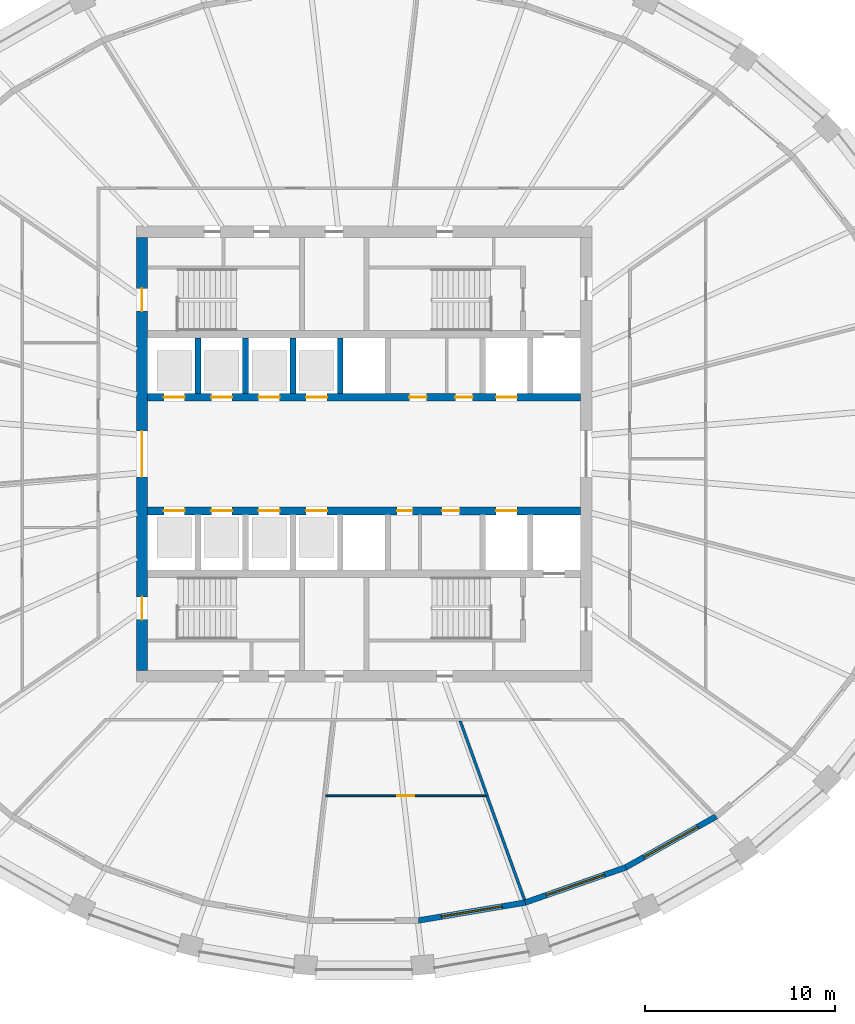
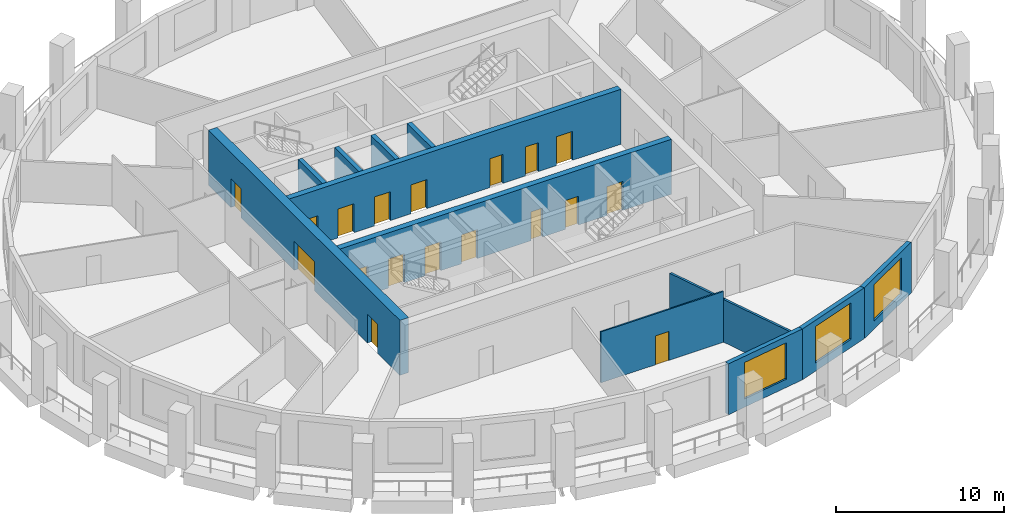
# One storey, part 4 of 11: 18 doors, 13 walls, 3 windows, 21 openings.
"""IFC4 building model written with IfcOpenShell, lengths in metres."""

from ifc_helpers import new_model, si_unit, direction, frame, frame_2d, origin, place, context, subcontext, project, spatial, polyline, rectangle, outline, extrude, material, layer, layer_set, type_object, element, fill, save


model = new_model("IFC4")

# Units and contexts
model_context = context("Model", 3, precision=1e-05, world=origin(), true_north=direction((0.0, 1.0)))
body_context = subcontext(model_context, "Body", "Model", "MODEL_VIEW")
ifc_project = project(units=[si_unit("LENGTHUNIT", "METRE"), si_unit("AREAUNIT", "SQUARE_METRE"), si_unit("VOLUMEUNIT", "CUBIC_METRE"), si_unit("PLANEANGLEUNIT", "RADIAN"), si_unit("MASSUNIT", "GRAM", prefix="KILO")], contexts=[model_context])

# Site, building, storey
site_placement = place(None, origin())
site = spatial("IfcSite", under=ifc_project, at=site_placement, CompositionType="ELEMENT")
building_placement = place(site_placement, origin())
building = spatial("IfcBuilding", under=site, at=building_placement, Name="Halqa Exchange Tower", CompositionType="ELEMENT")
storey_placement = place(building_placement, frame((0.0, 0.0, 222.89990234375)))
storey = spatial("IfcBuildingStorey", under=building, at=storey_placement, Name="L51", CompositionType="ELEMENT", Elevation=222.89990234375)

# Walls
ifc_material_1 = material(Name="Fire-rated gypsum board")
ifc_layer_1 = layer(ifc_material_1, 0.14990234375)
ifc_layer_set_1 = layer_set([ifc_layer_1], Name="Fire-rated gypsum board")
wall_type_1 = type_object("IfcWallType", Name="Fire partition EI 60 150", PredefinedType="PARTITIONING", material=ifc_layer_set_1)
wall_1_placement = place(storey_placement, frame((5.05810546875, -14.0498046875, 0.0), z_axis=(0.0, 0.0, 1.0), x_axis=(0.338678283686, -0.940902237302, 0.0)))
element("IfcWall", 1, at=wall_1_placement, inside=storey, type_object=wall_type_1, Name="L51-PWL-022", PredefinedType="PARTITIONING", context=body_context, shape_type="SweptSolid", body=[
    extrude(outline(polyline([(0.0, -0.074951171875), (1.372802734375, -0.074951171875), (2.745361328125, -0.074951171875), (4.1181640625, -0.074951171875), (4.1181640625, -0.07470703125), (4.11865234375, -0.074951171875), (4.1982421875, -0.074951171875), (4.1982421875, 0.074951171875), (2.816650390625, 0.074951171875), (1.435302734375, 0.074951171875), (0.0537109375, 0.074951171875), (0.0, -0.074462890625), (0.0, -0.074951171875)])), origin(), (0.0, 0.0, 1.0), 3.10009765625),
])
wall_2_placement = place(storey_placement, frame((6.47119140625, -18.00341796875, 0.0), z_axis=(0.0, 0.0, 1.0), x_axis=(0.339648584393, -0.940552411681, 0.0)))
element("IfcWall", 2, at=wall_2_placement, inside=storey, type_object=wall_type_1, Name="L51-PWL-024", PredefinedType="PARTITIONING", context=body_context, shape_type="SweptSolid", body=[
    extrude(outline(polyline([(0.021484375, -0.074951171875), (1.951171875, -0.074951171875), (3.880615234375, -0.074951171875), (5.810302734375, -0.074951171875), (5.8232421875, -0.003662109375), (5.82373046875, 0.043212890625), (5.82373046875, 0.074951171875), (3.882568359375, 0.074951171875), (1.941162109375, 0.074951171875), (0.0, 0.074951171875), (0.0, -0.067138671875), (0.021484375, -0.074951171875)])), origin(), (0.0, 0.0, 1.0), 3.10009765625),
])

# Wall, opening, door
ifc_material_2 = material(Name="Gypsum board")
ifc_layer_2 = layer(ifc_material_2, 0.10009765625)
ifc_layer_set_2 = layer_set([ifc_layer_2], Name="Gypsum board")
wall_type_2 = type_object("IfcWallType", Name="Partition 100 gypsum", PredefinedType="PARTITIONING", material=ifc_layer_set_2)
wall_3_placement = place(storey_placement, frame((6.407958984375, -18.0, 0.0), z_axis=(0.0, 0.0, 1.0), x_axis=(-1.0, 0.0, 0.0)))
wall_3 = element("IfcWall", 3, at=wall_3_placement, inside=storey, type_object=wall_type_2, Name="L51-PWL-023", PredefinedType="PARTITIONING", context=body_context, shape_type="SweptSolid", body=[
    extrude(outline(polyline([(0.025634765625, -0.050048828125), (1.705810546875, -0.050048828125), (3.385986328125, -0.050048828125), (5.066162109375, -0.050048828125), (6.746337890625, -0.050048828125), (8.426513671875, -0.050048828125), (8.43798828125, 0.04736328125), (8.43798828125, 0.050048828125), (6.75048828125, 0.050048828125), (5.062744140625, 0.050048828125), (3.375244140625, 0.050048828125), (1.6875, 0.050048828125), (0.0, 0.050048828125), (0.0, 0.049072265625), (0.0068359375, 0.0302734375), (0.0, 0.02783203125), (0.0, 0.021484375), (0.025634765625, -0.050048828125)])), origin(), (0.0, 0.0, 1.0), 3.7001953125),
])
opening_1_placement = place(wall_3_placement, frame((3.77294921875, 0.0, 0.0)))
opening_1 = element("IfcOpeningElement", 4, at=opening_1_placement, cuts=wall_3, Name="Opening 15-19", PredefinedType="OPENING", context=body_context, shape_type="SweptSolid", body=[
    extrude(rectangle(XDim=0.89990234375, YDim=2.10009765625, at=frame_2d((0.449951171875, 1.050048828125))), frame((0.0, 0.06201171875, 0.0), z_axis=(0.0, -1.0, 0.0), x_axis=(1.0, 0.0, 0.0)), (0.0, 0.0, 1.0), 0.1240234375),
])
ifc_material_3 = material(Name="Timber door leaf", Category="wood")
door_type_1 = type_object("IfcDoorType", Name="Door 900 x 2100", OperationType="SINGLE_SWING_LEFT", PredefinedType="DOOR", material=ifc_material_3)
door_1_placement = place(opening_1_placement, frame((0.89990234375, 0.0, 0.0), z_axis=(0.0, 0.0, 1.0), x_axis=(-1.0, 0.0, 0.0)))
door_1 = element("IfcDoor", 5, at=door_1_placement, inside=storey, type_object=door_type_1, Name="L51-IDR-019", OperationType="SINGLE_SWING_RIGHT", OverallHeight=2.10009765625, OverallWidth=0.89990234375, PredefinedType="DOOR", context=body_context, shape_type="SweptSolid", body=[
    extrude(rectangle(XDim=0.89990234375, YDim=2.10009765625, at=frame_2d((0.449951171875, 1.050048828125))), frame((0.0, 0.02490234375, 0.0), z_axis=(0.0, -1.0, 0.0), x_axis=(1.0, 0.0, 0.0)), (0.0, 0.0, 1.0), 0.050048828125),
])
fill(opening_1, door_1)

# Walls
ifc_material_4 = material(Name="Concrete C60/75", Category="concrete")
ifc_layer_3 = layer(ifc_material_4, 0.300048828125)
ifc_layer_set_3 = layer_set([ifc_layer_3], Name="Concrete C60/75")
wall_type_3 = type_object("IfcWallType", Name="RC core wall 300", PredefinedType="SHEAR", material=ifc_layer_set_3)
for number, where, z_axis, x_axis, name in (
    (6, (-8.75, 3.199951171875, 0.0), (0.0, 0.0, 1.0), (0.0, 1.0, 0.0), "Shaft divider N1"),
    (7, (-6.25, 3.199951171875, 0.0), (0.0, 0.0, 1.0), (0.0, 1.0, 0.0), "Shaft divider N2"),
    (8, (-3.75, 3.199951171875, 0.0), (0.0, 0.0, 1.0), (0.0, 1.0, 0.0), "Shaft divider N3"),
    (9, (-1.25, 3.199951171875, 0.0), (0.0, 0.0, 1.0), (0.0, 1.0, 0.0), "Shaft divider N4"),
):
    element("IfcWall", number, at=place(storey_placement, frame(where, z_axis=z_axis, x_axis=x_axis)), inside=storey, type_object=wall_type_3, Name=name, PredefinedType="SHEAR", context=body_context, shape_type="SweptSolid", body=[
        extrude(rectangle(XDim=2.900146484375, YDim=0.300048828125, at=frame_2d((1.4501953125, 0.0))), origin(), (0.0, 0.0, 1.0), 4.0),
    ])

# Wall, openings, doors
ifc_material_5 = material(Name="Concrete C70/85", Category="concrete")
ifc_layer_4 = layer(ifc_material_5, 0.39990234375)
ifc_layer_set_4 = layer_set([ifc_layer_4], Name="Concrete C70/85")
wall_type_4 = type_object("IfcWallType", Name="RC core wall 400 C70/85", PredefinedType="SHEAR", material=ifc_layer_set_4)
wall_4_placement = place(storey_placement, frame((-11.39990234375, 3.0, 0.0), z_axis=(0.0, 0.0, 1.0), x_axis=(1.0, 0.0, 0.0)))
wall_4 = element("IfcWall", 10, at=wall_4_placement, inside=storey, type_object=wall_type_4, Name="Lift row front wall N", PredefinedType="SHEAR", context=body_context, shape_type="SweptSolid", body=[
    extrude(rectangle(XDim=22.7998046875, YDim=0.39990234375, at=frame_2d((11.39990234375, 0.0))), origin(), (0.0, 0.0, 1.0), 4.0),
])
opening_2_placement = place(wall_4_placement, frame((0.85009765625, 0.0, 0.0)))
opening_2 = element("IfcOpeningElement", 11, at=opening_2_placement, cuts=wall_4, Name="Opening LD-HR1-T15", PredefinedType="OPENING", context=body_context, shape_type="SweptSolid", body=[
    extrude(rectangle(XDim=1.10009765625, YDim=2.10009765625, at=frame_2d((0.550048828125, 1.050048828125))), frame((0.0, 0.2119140625, 0.0), z_axis=(0.0, -1.0, 0.0), x_axis=(1.0, 0.0, 0.0)), (0.0, 0.0, 1.0), 0.423828125),
])
opening_3_placement = place(wall_4_placement, frame((3.35009765625, 0.0, 0.0)))
opening_3 = element("IfcOpeningElement", 12, at=opening_3_placement, cuts=wall_4, Name="Opening LD-HR2-T15", PredefinedType="OPENING", context=body_context, shape_type="SweptSolid", body=[
    extrude(rectangle(XDim=1.10009765625, YDim=2.10009765625, at=frame_2d((0.550048828125, 1.050048828125))), frame((0.0, 0.2119140625, 0.0), z_axis=(0.0, -1.0, 0.0), x_axis=(1.0, 0.0, 0.0)), (0.0, 0.0, 1.0), 0.423828125),
])
opening_4_placement = place(wall_4_placement, frame((5.85009765625, 0.0, 0.0)))
opening_4 = element("IfcOpeningElement", 13, at=opening_4_placement, cuts=wall_4, Name="Opening LD-MR1-T15", PredefinedType="OPENING", context=body_context, shape_type="SweptSolid", body=[
    extrude(rectangle(XDim=1.10009765625, YDim=2.10009765625, at=frame_2d((0.550048828125, 1.050048828125))), frame((0.0, 0.2119140625, 0.0), z_axis=(0.0, -1.0, 0.0), x_axis=(1.0, 0.0, 0.0)), (0.0, 0.0, 1.0), 0.423828125),
])
opening_5_placement = place(wall_4_placement, frame((8.35009765625, 0.0, 0.0)))
opening_5 = element("IfcOpeningElement", 14, at=opening_5_placement, cuts=wall_4, Name="Opening LD-MR2-T15", PredefinedType="OPENING", context=body_context, shape_type="SweptSolid", body=[
    extrude(rectangle(XDim=1.10009765625, YDim=2.10009765625, at=frame_2d((0.550048828125, 1.050048828125))), frame((0.0, 0.2119140625, 0.0), z_axis=(0.0, -1.0, 0.0), x_axis=(1.0, 0.0, 0.0)), (0.0, 0.0, 1.0), 0.423828125),
])
opening_6_placement = place(wall_4_placement, frame((18.35009765625, 0.0, 0.0)))
opening_6 = element("IfcOpeningElement", 15, at=opening_6_placement, cuts=wall_4, Name="Opening LD-SV1-T15", PredefinedType="OPENING", context=body_context, shape_type="SweptSolid", body=[
    extrude(rectangle(XDim=1.10009765625, YDim=2.10009765625, at=frame_2d((0.550048828125, 1.050048828125))), frame((0.0, 0.2119140625, 0.0), z_axis=(0.0, -1.0, 0.0), x_axis=(1.0, 0.0, 0.0)), (0.0, 0.0, 1.0), 0.423828125),
])
opening_7_placement = place(wall_4_placement, frame((13.78759765625, 0.0, 0.0)))
opening_7 = element("IfcOpeningElement", 16, at=opening_7_placement, cuts=wall_4, Name="Opening T15-C29", PredefinedType="OPENING", context=body_context, shape_type="SweptSolid", body=[
    extrude(rectangle(XDim=0.89990234375, YDim=2.10009765625, at=frame_2d((0.449951171875, 1.050048828125))), frame((0.0, 0.2119140625, 0.0), z_axis=(0.0, -1.0, 0.0), x_axis=(1.0, 0.0, 0.0)), (0.0, 0.0, 1.0), 0.423828125),
])
opening_8_placement = place(wall_4_placement, frame((16.21240234375, 0.0, 0.0)))
opening_8 = element("IfcOpeningElement", 17, at=opening_8_placement, cuts=wall_4, Name="Opening T15-C30", PredefinedType="OPENING", context=body_context, shape_type="SweptSolid", body=[
    extrude(rectangle(XDim=0.89990234375, YDim=2.10009765625, at=frame_2d((0.449951171875, 1.050048828125))), frame((0.0, 0.2119140625, 0.0), z_axis=(0.0, -1.0, 0.0), x_axis=(1.0, 0.0, 0.0)), (0.0, 0.0, 1.0), 0.423828125),
])
ifc_material_6 = material(Name="Timber fire door leaf", Category="wood")
door_type_2 = type_object("IfcDoorType", Name="Core room door FD30 900 x 2100", OperationType="SINGLE_SWING_LEFT", PredefinedType="DOOR", material=ifc_material_6)
door_2_placement = place(opening_7_placement, origin())
door_2 = element("IfcDoor", 18, at=door_2_placement, inside=storey, type_object=door_type_2, Name="Core room door", OperationType="SINGLE_SWING_LEFT", OverallHeight=2.10009765625, OverallWidth=0.89990234375, PredefinedType="DOOR", context=body_context, shape_type="SweptSolid", body=[
    extrude(rectangle(XDim=0.89990234375, YDim=2.10009765625, at=frame_2d((0.449951171875, 1.050048828125))), frame((0.0, 0.02490234375, 0.0), z_axis=(0.0, -1.0, 0.0), x_axis=(1.0, 0.0, 0.0)), (0.0, 0.0, 1.0), 0.050048828125),
])
fill(opening_7, door_2)
door_3_placement = place(opening_8_placement, origin())
door_3 = element("IfcDoor", 19, at=door_3_placement, inside=storey, type_object=door_type_2, Name="Core room door", OperationType="SINGLE_SWING_RIGHT", OverallHeight=2.10009765625, OverallWidth=0.89990234375, PredefinedType="DOOR", context=body_context, shape_type="SweptSolid", body=[
    extrude(rectangle(XDim=0.89990234375, YDim=2.10009765625, at=frame_2d((0.449951171875, 1.050048828125))), frame((0.0, 0.02490234375, 0.0), z_axis=(0.0, -1.0, 0.0), x_axis=(1.0, 0.0, 0.0)), (0.0, 0.0, 1.0), 0.050048828125),
])
fill(opening_8, door_3)
ifc_material_7 = material(Name="Stainless steel", Category="steel")
door_type_3 = type_object("IfcDoorType", Name="Lift landing door 1100 x 2100", OperationType="SLIDING_TO_LEFT", PredefinedType="DOOR", material=ifc_material_7)
door_4_placement = place(opening_2_placement, origin())
door_4 = element("IfcDoor", 20, at=door_4_placement, inside=storey, type_object=door_type_3, Name="Lift landing door HR1", OperationType="SLIDING_TO_LEFT", OverallHeight=2.10009765625, OverallWidth=1.10009765625, PredefinedType="DOOR", context=body_context, shape_type="SweptSolid", body=[
    extrude(rectangle(XDim=1.10009765625, YDim=2.10009765625, at=frame_2d((0.550048828125, 1.050048828125))), frame((0.0, 0.02490234375, 0.0), z_axis=(0.0, -1.0, 0.0), x_axis=(1.0, 0.0, 0.0)), (0.0, 0.0, 1.0), 0.050048828125),
])
fill(opening_2, door_4)
door_5_placement = place(opening_3_placement, origin())
door_5 = element("IfcDoor", 21, at=door_5_placement, inside=storey, type_object=door_type_3, Name="Lift landing door HR2", OperationType="SLIDING_TO_LEFT", OverallHeight=2.10009765625, OverallWidth=1.10009765625, PredefinedType="DOOR", context=body_context, shape_type="SweptSolid", body=[
    extrude(rectangle(XDim=1.10009765625, YDim=2.10009765625, at=frame_2d((0.550048828125, 1.050048828125))), frame((0.0, 0.02490234375, 0.0), z_axis=(0.0, -1.0, 0.0), x_axis=(1.0, 0.0, 0.0)), (0.0, 0.0, 1.0), 0.050048828125),
])
fill(opening_3, door_5)
door_6_placement = place(opening_4_placement, origin())
door_6 = element("IfcDoor", 22, at=door_6_placement, inside=storey, type_object=door_type_3, Name="Lift landing door MR1", OperationType="SLIDING_TO_LEFT", OverallHeight=2.10009765625, OverallWidth=1.10009765625, PredefinedType="DOOR", context=body_context, shape_type="SweptSolid", body=[
    extrude(rectangle(XDim=1.10009765625, YDim=2.10009765625, at=frame_2d((0.550048828125, 1.050048828125))), frame((0.0, 0.02490234375, 0.0), z_axis=(0.0, -1.0, 0.0), x_axis=(1.0, 0.0, 0.0)), (0.0, 0.0, 1.0), 0.050048828125),
])
fill(opening_4, door_6)
door_7_placement = place(opening_5_placement, origin())
door_7 = element("IfcDoor", 23, at=door_7_placement, inside=storey, type_object=door_type_3, Name="Lift landing door MR2", OperationType="SLIDING_TO_LEFT", OverallHeight=2.10009765625, OverallWidth=1.10009765625, PredefinedType="DOOR", context=body_context, shape_type="SweptSolid", body=[
    extrude(rectangle(XDim=1.10009765625, YDim=2.10009765625, at=frame_2d((0.550048828125, 1.050048828125))), frame((0.0, 0.02490234375, 0.0), z_axis=(0.0, -1.0, 0.0), x_axis=(1.0, 0.0, 0.0)), (0.0, 0.0, 1.0), 0.050048828125),
])
fill(opening_5, door_7)
door_8_placement = place(opening_6_placement, origin())
door_8 = element("IfcDoor", 24, at=door_8_placement, inside=storey, type_object=door_type_3, Name="Lift landing door SV1", OperationType="SLIDING_TO_LEFT", OverallHeight=2.10009765625, OverallWidth=1.10009765625, PredefinedType="DOOR", context=body_context, shape_type="SweptSolid", body=[
    extrude(rectangle(XDim=1.10009765625, YDim=2.10009765625, at=frame_2d((0.550048828125, 1.050048828125))), frame((0.0, 0.02490234375, 0.0), z_axis=(0.0, -1.0, 0.0), x_axis=(1.0, 0.0, 0.0)), (0.0, 0.0, 1.0), 0.050048828125),
])
fill(opening_6, door_8)

wall_5_placement = place(storey_placement, frame((-11.39990234375, -3.0, 0.0), z_axis=(0.0, 0.0, 1.0), x_axis=(1.0, 0.0, 0.0)))
wall_5 = element("IfcWall", 25, at=wall_5_placement, inside=storey, type_object=wall_type_4, Name="Lift row front wall S", PredefinedType="SHEAR", context=body_context, shape_type="SweptSolid", body=[
    extrude(rectangle(XDim=22.7998046875, YDim=0.39990234375, at=frame_2d((11.39990234375, 0.0))), origin(), (0.0, 0.0, 1.0), 4.0),
])
opening_9_placement = place(wall_5_placement, frame((0.85009765625, 0.0, 0.0)))
opening_9 = element("IfcOpeningElement", 26, at=opening_9_placement, cuts=wall_5, Name="Opening LD-HR3-T15", PredefinedType="OPENING", context=body_context, shape_type="SweptSolid", body=[
    extrude(rectangle(XDim=1.10009765625, YDim=2.10009765625, at=frame_2d((0.550048828125, 1.050048828125))), frame((0.0, 0.2119140625, 0.0), z_axis=(0.0, -1.0, 0.0), x_axis=(1.0, 0.0, 0.0)), (0.0, 0.0, 1.0), 0.423828125),
])
opening_10_placement = place(wall_5_placement, frame((3.35009765625, 0.0, 0.0)))
opening_10 = element("IfcOpeningElement", 27, at=opening_10_placement, cuts=wall_5, Name="Opening LD-HR4-T15", PredefinedType="OPENING", context=body_context, shape_type="SweptSolid", body=[
    extrude(rectangle(XDim=1.10009765625, YDim=2.10009765625, at=frame_2d((0.550048828125, 1.050048828125))), frame((0.0, 0.2119140625, 0.0), z_axis=(0.0, -1.0, 0.0), x_axis=(1.0, 0.0, 0.0)), (0.0, 0.0, 1.0), 0.423828125),
])
opening_11_placement = place(wall_5_placement, frame((5.85009765625, 0.0, 0.0)))
opening_11 = element("IfcOpeningElement", 28, at=opening_11_placement, cuts=wall_5, Name="Opening LD-MR3-T15", PredefinedType="OPENING", context=body_context, shape_type="SweptSolid", body=[
    extrude(rectangle(XDim=1.10009765625, YDim=2.10009765625, at=frame_2d((0.550048828125, 1.050048828125))), frame((0.0, 0.2119140625, 0.0), z_axis=(0.0, -1.0, 0.0), x_axis=(1.0, 0.0, 0.0)), (0.0, 0.0, 1.0), 0.423828125),
])
opening_12_placement = place(wall_5_placement, frame((8.35009765625, 0.0, 0.0)))
opening_12 = element("IfcOpeningElement", 29, at=opening_12_placement, cuts=wall_5, Name="Opening LD-MR4-T15", PredefinedType="OPENING", context=body_context, shape_type="SweptSolid", body=[
    extrude(rectangle(XDim=1.10009765625, YDim=2.10009765625, at=frame_2d((0.550048828125, 1.050048828125))), frame((0.0, 0.2119140625, 0.0), z_axis=(0.0, -1.0, 0.0), x_axis=(1.0, 0.0, 0.0)), (0.0, 0.0, 1.0), 0.423828125),
])
opening_13_placement = place(wall_5_placement, frame((18.35009765625, 0.0, 0.0)))
opening_13 = element("IfcOpeningElement", 30, at=opening_13_placement, cuts=wall_5, Name="Opening LD-SV2-T15", PredefinedType="OPENING", context=body_context, shape_type="SweptSolid", body=[
    extrude(rectangle(XDim=1.10009765625, YDim=2.10009765625, at=frame_2d((0.550048828125, 1.050048828125))), frame((0.0, 0.2119140625, 0.0), z_axis=(0.0, -1.0, 0.0), x_axis=(1.0, 0.0, 0.0)), (0.0, 0.0, 1.0), 0.423828125),
])
opening_14_placement = place(wall_5_placement, frame((13.137451171875, 0.0, 0.0)))
opening_14 = element("IfcOpeningElement", 31, at=opening_14_placement, cuts=wall_5, Name="Opening T15-C31", PredefinedType="OPENING", context=body_context, shape_type="SweptSolid", body=[
    extrude(rectangle(XDim=0.800048828125, YDim=2.10009765625, at=frame_2d((0.39990234375, 1.050048828125))), frame((0.0, 0.2119140625, 0.0), z_axis=(0.0, -1.0, 0.0), x_axis=(1.0, 0.0, 0.0)), (0.0, 0.0, 1.0), 0.423828125),
])
opening_15_placement = place(wall_5_placement, frame((15.512451171875, 0.0, 0.0)))
opening_15 = element("IfcOpeningElement", 32, at=opening_15_placement, cuts=wall_5, Name="Opening T15-C32", PredefinedType="OPENING", context=body_context, shape_type="SweptSolid", body=[
    extrude(rectangle(XDim=0.89990234375, YDim=2.10009765625, at=frame_2d((0.449951171875, 1.050048828125))), frame((0.0, 0.2119140625, 0.0), z_axis=(0.0, -1.0, 0.0), x_axis=(1.0, 0.0, 0.0)), (0.0, 0.0, 1.0), 0.423828125),
])
door_9_placement = place(opening_15_placement, frame((0.89990234375, 0.0, 0.0), z_axis=(0.0, 0.0, 1.0), x_axis=(-1.0, 0.0, 0.0)))
door_9 = element("IfcDoor", 33, at=door_9_placement, inside=storey, type_object=door_type_2, Name="Core room door", OperationType="SINGLE_SWING_LEFT", OverallHeight=2.10009765625, OverallWidth=0.89990234375, PredefinedType="DOOR", context=body_context, shape_type="SweptSolid", body=[
    extrude(rectangle(XDim=0.89990234375, YDim=2.10009765625, at=frame_2d((0.449951171875, 1.050048828125))), frame((0.0, 0.02490234375, 0.0), z_axis=(0.0, -1.0, 0.0), x_axis=(1.0, 0.0, 0.0)), (0.0, 0.0, 1.0), 0.050048828125),
])
fill(opening_15, door_9)
door_10_placement = place(opening_9_placement, origin())
door_10 = element("IfcDoor", 34, at=door_10_placement, inside=storey, type_object=door_type_3, Name="Lift landing door HR3", OperationType="SLIDING_TO_LEFT", OverallHeight=2.10009765625, OverallWidth=1.10009765625, PredefinedType="DOOR", context=body_context, shape_type="SweptSolid", body=[
    extrude(rectangle(XDim=1.10009765625, YDim=2.10009765625, at=frame_2d((0.550048828125, 1.050048828125))), frame((0.0, 0.02490234375, 0.0), z_axis=(0.0, -1.0, 0.0), x_axis=(1.0, 0.0, 0.0)), (0.0, 0.0, 1.0), 0.050048828125),
])
fill(opening_9, door_10)
door_11_placement = place(opening_10_placement, origin())
door_11 = element("IfcDoor", 35, at=door_11_placement, inside=storey, type_object=door_type_3, Name="Lift landing door HR4", OperationType="SLIDING_TO_LEFT", OverallHeight=2.10009765625, OverallWidth=1.10009765625, PredefinedType="DOOR", context=body_context, shape_type="SweptSolid", body=[
    extrude(rectangle(XDim=1.10009765625, YDim=2.10009765625, at=frame_2d((0.550048828125, 1.050048828125))), frame((0.0, 0.02490234375, 0.0), z_axis=(0.0, -1.0, 0.0), x_axis=(1.0, 0.0, 0.0)), (0.0, 0.0, 1.0), 0.050048828125),
])
fill(opening_10, door_11)
door_12_placement = place(opening_11_placement, origin())
door_12 = element("IfcDoor", 36, at=door_12_placement, inside=storey, type_object=door_type_3, Name="Lift landing door MR3", OperationType="SLIDING_TO_LEFT", OverallHeight=2.10009765625, OverallWidth=1.10009765625, PredefinedType="DOOR", context=body_context, shape_type="SweptSolid", body=[
    extrude(rectangle(XDim=1.10009765625, YDim=2.10009765625, at=frame_2d((0.550048828125, 1.050048828125))), frame((0.0, 0.02490234375, 0.0), z_axis=(0.0, -1.0, 0.0), x_axis=(1.0, 0.0, 0.0)), (0.0, 0.0, 1.0), 0.050048828125),
])
fill(opening_11, door_12)
door_13_placement = place(opening_12_placement, origin())
door_13 = element("IfcDoor", 37, at=door_13_placement, inside=storey, type_object=door_type_3, Name="Lift landing door MR4", OperationType="SLIDING_TO_LEFT", OverallHeight=2.10009765625, OverallWidth=1.10009765625, PredefinedType="DOOR", context=body_context, shape_type="SweptSolid", body=[
    extrude(rectangle(XDim=1.10009765625, YDim=2.10009765625, at=frame_2d((0.550048828125, 1.050048828125))), frame((0.0, 0.02490234375, 0.0), z_axis=(0.0, -1.0, 0.0), x_axis=(1.0, 0.0, 0.0)), (0.0, 0.0, 1.0), 0.050048828125),
])
fill(opening_12, door_13)
door_14_placement = place(opening_13_placement, origin())
door_14 = element("IfcDoor", 38, at=door_14_placement, inside=storey, type_object=door_type_3, Name="Lift landing door SV2", OperationType="SLIDING_TO_LEFT", OverallHeight=2.10009765625, OverallWidth=1.10009765625, PredefinedType="DOOR", context=body_context, shape_type="SweptSolid", body=[
    extrude(rectangle(XDim=1.10009765625, YDim=2.10009765625, at=frame_2d((0.550048828125, 1.050048828125))), frame((0.0, 0.02490234375, 0.0), z_axis=(0.0, -1.0, 0.0), x_axis=(1.0, 0.0, 0.0)), (0.0, 0.0, 1.0), 0.050048828125),
])
fill(opening_13, door_14)
ifc_material_8 = material(Name="Steel fire door leaf", Category="steel")
door_type_4 = type_object("IfcDoorType", Name="Riser door FD60 800 x 2100", OperationType="SINGLE_SWING_LEFT", PredefinedType="DOOR", material=ifc_material_8)
door_15_placement = place(opening_14_placement, frame((0.800048828125, 0.0, 0.0), z_axis=(0.0, 0.0, 1.0), x_axis=(-1.0, 0.0, 0.0)))
door_15 = element("IfcDoor", 39, at=door_15_placement, inside=storey, type_object=door_type_4, Name="Core room door", OperationType="SINGLE_SWING_LEFT", OverallHeight=2.10009765625, OverallWidth=0.800048828125, PredefinedType="DOOR", context=body_context, shape_type="SweptSolid", body=[
    extrude(rectangle(XDim=0.800048828125, YDim=2.10009765625, at=frame_2d((0.39990234375, 1.050048828125))), frame((0.0, 0.02490234375, 0.0), z_axis=(0.0, -1.0, 0.0), x_axis=(1.0, 0.0, 0.0)), (0.0, 0.0, 1.0), 0.050048828125),
])
fill(opening_14, door_15)

ifc_layer_5 = layer(ifc_material_5, 0.60009765625)
ifc_layer_set_5 = layer_set([ifc_layer_5], Name="Concrete C70/85")
wall_type_5 = type_object("IfcWallType", Name="RC core wall 600 C70/85", PredefinedType="SHEAR", material=ifc_layer_set_5)
wall_6_placement = place(storey_placement, frame((-11.699951171875, -11.39990234375, 0.0), z_axis=(0.0, 0.0, 1.0), x_axis=(0.0, 1.0, 0.0)))
wall_6 = element("IfcWall", 40, at=wall_6_placement, inside=storey, type_object=wall_type_5, Name="Core wall west", PredefinedType="SHEAR", context=body_context, shape_type="SweptSolid", body=[
    extrude(rectangle(XDim=22.7998046875, YDim=0.60009765625, at=frame_2d((11.39990234375, 0.0))), origin(), (0.0, 0.0, 1.0), 4.0),
])
opening_16_placement = place(wall_6_placement, frame((10.199951171875, 0.0, 0.0)))
opening_16 = element("IfcOpeningElement", 41, at=opening_16_placement, cuts=wall_6, Name="Opening T15-C13", PredefinedType="OPENING", context=body_context, shape_type="SweptSolid", body=[
    extrude(rectangle(XDim=2.39990234375, YDim=2.10009765625, at=frame_2d((1.199951171875, 1.050048828125))), frame((0.0, 0.31201171875, 0.0), z_axis=(0.0, -1.0, 0.0), x_axis=(1.0, 0.0, 0.0)), (0.0, 0.0, 1.0), 0.6240234375),
])
opening_17_placement = place(wall_6_placement, frame((18.925048828125, 0.0, 0.0)))
opening_17 = element("IfcOpeningElement", 42, at=opening_17_placement, cuts=wall_6, Name="Opening T15-C15", PredefinedType="OPENING", context=body_context, shape_type="SweptSolid", body=[
    extrude(rectangle(XDim=1.199951171875, YDim=2.10009765625, at=frame_2d((0.60009765625, 1.050048828125))), frame((0.0, 0.31201171875, 0.0), z_axis=(0.0, -1.0, 0.0), x_axis=(1.0, 0.0, 0.0)), (0.0, 0.0, 1.0), 0.6240234375),
])
opening_18_placement = place(wall_6_placement, frame((2.675048828125, 0.0, 0.0)))
opening_18 = element("IfcOpeningElement", 43, at=opening_18_placement, cuts=wall_6, Name="Opening T15-C17", PredefinedType="OPENING", context=body_context, shape_type="SweptSolid", body=[
    extrude(rectangle(XDim=1.199951171875, YDim=2.10009765625, at=frame_2d((0.60009765625, 1.050048828125))), frame((0.0, 0.31201171875, 0.0), z_axis=(0.0, -1.0, 0.0), x_axis=(1.0, 0.0, 0.0)), (0.0, 0.0, 1.0), 0.6240234375),
])
door_type_5 = type_object("IfcDoorType", Name="Lobby double door FD60 2400 x 2100", OperationType="DOUBLE_DOOR_SINGLE_SWING", PredefinedType="DOOR", material=ifc_material_8)
door_16_placement = place(opening_16_placement, frame((2.39990234375, 0.0, 0.0), z_axis=(0.0, 0.0, 1.0), x_axis=(-1.0, 0.0, 0.0)))
door_16 = element("IfcDoor", 44, at=door_16_placement, inside=storey, type_object=door_type_5, Name="Lift lobby double door", OperationType="DOUBLE_DOOR_SINGLE_SWING", OverallHeight=2.10009765625, OverallWidth=2.39990234375, PredefinedType="DOOR", context=body_context, shape_type="SweptSolid", body=[
    extrude(rectangle(XDim=2.39990234375, YDim=2.10009765625, at=frame_2d((1.199951171875, 1.050048828125))), frame((0.0, 0.02490234375, 0.0), z_axis=(0.0, -1.0, 0.0), x_axis=(1.0, 0.0, 0.0)), (0.0, 0.0, 1.0), 0.050048828125),
])
fill(opening_16, door_16)
door_type_6 = type_object("IfcDoorType", Name="Stair door FD90 1200 x 2100", OperationType="SINGLE_SWING_LEFT", PredefinedType="DOOR", material=ifc_material_8)
door_17_placement = place(opening_17_placement, frame((1.199951171875, 0.0, 0.0), z_axis=(0.0, 0.0, 1.0), x_axis=(-1.0, 0.0, 0.0)))
door_17 = element("IfcDoor", 45, at=door_17_placement, inside=storey, type_object=door_type_6, Name="Stair door ST1", OperationType="SINGLE_SWING_RIGHT", OverallHeight=2.10009765625, OverallWidth=1.199951171875, PredefinedType="DOOR", context=body_context, shape_type="SweptSolid", body=[
    extrude(rectangle(XDim=1.199951171875, YDim=2.10009765625, at=frame_2d((0.60009765625, 1.050048828125))), frame((0.0, 0.02490234375, 0.0), z_axis=(0.0, -1.0, 0.0), x_axis=(1.0, 0.0, 0.0)), (0.0, 0.0, 1.0), 0.050048828125),
])
fill(opening_17, door_17)
door_18_placement = place(opening_18_placement, frame((1.199951171875, 0.0, 0.0), z_axis=(0.0, 0.0, 1.0), x_axis=(-1.0, 0.0, 0.0)))
door_18 = element("IfcDoor", 46, at=door_18_placement, inside=storey, type_object=door_type_6, Name="Stair door ST3", OperationType="SINGLE_SWING_RIGHT", OverallHeight=2.10009765625, OverallWidth=1.199951171875, PredefinedType="DOOR", context=body_context, shape_type="SweptSolid", body=[
    extrude(rectangle(XDim=1.199951171875, YDim=2.10009765625, at=frame_2d((0.60009765625, 1.050048828125))), frame((0.0, 0.02490234375, 0.0), z_axis=(0.0, -1.0, 0.0), x_axis=(1.0, 0.0, 0.0)), (0.0, 0.0, 1.0), 0.050048828125),
])
fill(opening_18, door_18)

# Wall, opening, window
ifc_material_9 = material(Name="Limestone cladding", Category="masonry")
ifc_layer_6 = layer(ifc_material_9, 0.0400390625)
ifc_material_10 = material(Name="Ventilated cavity")
ifc_layer_7 = layer(ifc_material_10, 0.030029296875, ventilated=True)
ifc_material_11 = material(Name="Mineral wool insulation")
ifc_layer_8 = layer(ifc_material_11, 0.10009765625)
ifc_material_12 = material(Name="Concrete C30/37", Category="concrete")
ifc_layer_9 = layer(ifc_material_12, 0.10009765625)
ifc_material_13 = material(Name="Internal plaster")
ifc_layer_10 = layer(ifc_material_13, 0.030029296875)
ifc_layer_set_6 = layer_set([ifc_layer_6, ifc_layer_7, ifc_layer_8, ifc_layer_9, ifc_layer_10], Name="Stone-faced insulated wall 300")
wall_type_6 = type_object("IfcWallType", Name="Stone-faced insulated wall 300", PredefinedType="STANDARD", material=ifc_layer_set_6)
wall_7_placement = place(storey_placement, frame((2.8642578125, -24.570068359375, 0.0), z_axis=(0.0, 0.0, 1.0), x_axis=(0.986218486863, 0.16544816762, 0.0)))
wall_7 = element("IfcWall", 47, at=wall_7_placement, inside=storey, type_object=wall_type_6, Name="Glass-line wall 25", PredefinedType="STANDARD", context=body_context, shape_type="SweptSolid", body=[
    extrude(outline(polyline([(-0.012451171875, -0.14990234375), (5.710205078125, -0.14990234375), (5.684814453125, 0.14990234375), (0.012451171875, 0.14990234375), (-0.012451171875, -0.14990234375)])), origin(), (0.0, 0.0, 1.0), 3.7001953125),
])
opening_19_placement = place(wall_7_placement, frame((1.2236328125, 0.0, 0.60009765625)))
opening_19 = element("IfcOpeningElement", 48, at=opening_19_placement, cuts=wall_7, Name="Opening W-F3-25", PredefinedType="OPENING", context=body_context, shape_type="SweptSolid", body=[
    extrude(rectangle(XDim=3.25, YDim=2.64990234375, at=frame_2d((1.625, 1.324951171875))), frame((0.0, 0.162109375, 0.0), z_axis=(0.0, -1.0, 0.0), x_axis=(1.0, 0.0, 0.0)), (0.0, 0.0, 1.0), 0.323974609375),
])
ifc_material_14 = material(Name="Clear low-emissivity glass in aluminium frame", Category="aluminium")
window_type = type_object("IfcWindowType", Name="Fixed clear glazed window 3250 x 2650", PartitioningType="TRIPLE_PANEL_VERTICAL", PredefinedType="WINDOW", material=ifc_material_14)
window_1_placement = place(opening_19_placement, origin())
window_1 = element("IfcWindow", 49, at=window_1_placement, inside=storey, type_object=window_type, Name="Window 3", OverallHeight=2.64990234375, OverallWidth=3.25, PartitioningType="TRIPLE_PANEL_VERTICAL", PredefinedType="WINDOW", context=body_context, shape_type="SweptSolid", body=[
    extrude(rectangle(XDim=3.25, YDim=2.64990234375, at=frame_2d((1.625, 1.324951171875))), frame((0.0, 0.030029296875, 0.0), z_axis=(0.0, -1.0, 0.0), x_axis=(1.0, 0.0, 0.0)), (0.0, 0.0, 1.0), 0.06005859375),
])
fill(opening_19, window_1)

wall_8_placement = place(storey_placement, frame((8.483154296875, -23.62744140625, 0.0), z_axis=(0.0, 0.0, 1.0), x_axis=(0.944053670735, 0.329791853708, 0.0)))
wall_8 = element("IfcWall", 50, at=wall_8_placement, inside=storey, type_object=wall_type_6, Name="Glass-line wall 26", PredefinedType="STANDARD", context=body_context, shape_type="SweptSolid", body=[
    extrude(outline(polyline([(-0.0126953125, -0.14990234375), (5.62109375, -0.14990234375), (5.59423828125, 0.14990234375), (0.0126953125, 0.14990234375), (-0.0126953125, -0.14990234375)])), origin(), (0.0, 0.0, 1.0), 3.7001953125),
])
opening_20_placement = place(wall_8_placement, frame((1.178955078125, 0.0, 0.60009765625)))
opening_20 = element("IfcOpeningElement", 51, at=opening_20_placement, cuts=wall_8, Name="Opening W-F3-26", PredefinedType="OPENING", context=body_context, shape_type="SweptSolid", body=[
    extrude(rectangle(XDim=3.25, YDim=2.64990234375, at=frame_2d((1.625, 1.324951171875))), frame((0.0, 0.162109375, 0.0), z_axis=(0.0, -1.0, 0.0), x_axis=(1.0, 0.0, 0.0)), (0.0, 0.0, 1.0), 0.323974609375),
])
window_2_placement = place(opening_20_placement, origin())
window_2 = element("IfcWindow", 52, at=window_2_placement, inside=storey, type_object=window_type, Name="Window 3", OverallHeight=2.64990234375, OverallWidth=3.25, PartitioningType="TRIPLE_PANEL_VERTICAL", PredefinedType="WINDOW", context=body_context, shape_type="SweptSolid", body=[
    extrude(rectangle(XDim=3.25, YDim=2.64990234375, at=frame_2d((1.625, 1.324951171875))), frame((0.0, 0.030029296875, 0.0), z_axis=(0.0, -1.0, 0.0), x_axis=(1.0, 0.0, 0.0)), (0.0, 0.0, 1.0), 0.06005859375),
])
fill(opening_20, window_2)

wall_9_placement = place(storey_placement, frame((13.777099609375, -21.778076171875, 0.0), z_axis=(0.0, 0.0, 1.0), x_axis=(0.871207038577, 0.490915772749, 0.0)))
wall_9 = element("IfcWall", 53, at=wall_9_placement, inside=storey, type_object=wall_type_6, Name="Glass-line wall 27", PredefinedType="STANDARD", context=body_context, shape_type="SweptSolid", body=[
    extrude(outline(polyline([(-0.013427734375, -0.14990234375), (5.485107421875, -0.14990234375), (5.456787109375, 0.14990234375), (0.013427734375, 0.14990234375), (-0.013427734375, -0.14990234375)])), origin(), (0.0, 0.0, 1.0), 3.7001953125),
])
opening_21_placement = place(wall_9_placement, frame((1.110595703125, 0.0, 0.60009765625)))
opening_21 = element("IfcOpeningElement", 54, at=opening_21_placement, cuts=wall_9, Name="Opening W-F3-27", PredefinedType="OPENING", context=body_context, shape_type="SweptSolid", body=[
    extrude(rectangle(XDim=3.25, YDim=2.64990234375, at=frame_2d((1.625, 1.324951171875))), frame((0.0, 0.162109375, 0.0), z_axis=(0.0, -1.0, 0.0), x_axis=(1.0, 0.0, 0.0)), (0.0, 0.0, 1.0), 0.323974609375),
])
window_3_placement = place(opening_21_placement, origin())
window_3 = element("IfcWindow", 55, at=window_3_placement, inside=storey, type_object=window_type, Name="Window 3", OverallHeight=2.64990234375, OverallWidth=3.25, PartitioningType="TRIPLE_PANEL_VERTICAL", PredefinedType="WINDOW", context=body_context, shape_type="SweptSolid", body=[
    extrude(rectangle(XDim=3.25, YDim=2.64990234375, at=frame_2d((1.625, 1.324951171875))), frame((0.0, 0.030029296875, 0.0), z_axis=(0.0, -1.0, 0.0), x_axis=(1.0, 0.0, 0.0)), (0.0, 0.0, 1.0), 0.06005859375),
])
fill(opening_21, window_3)

save(model, "model.ifc")
